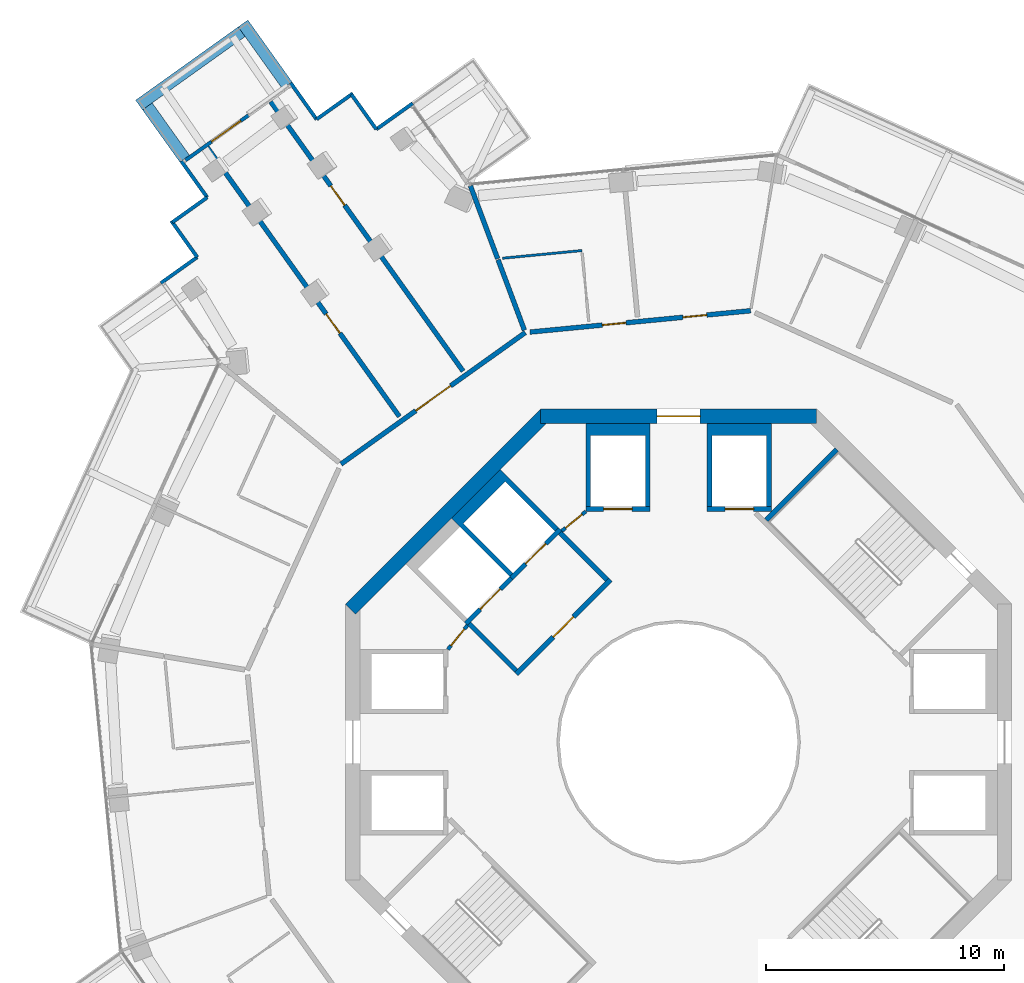
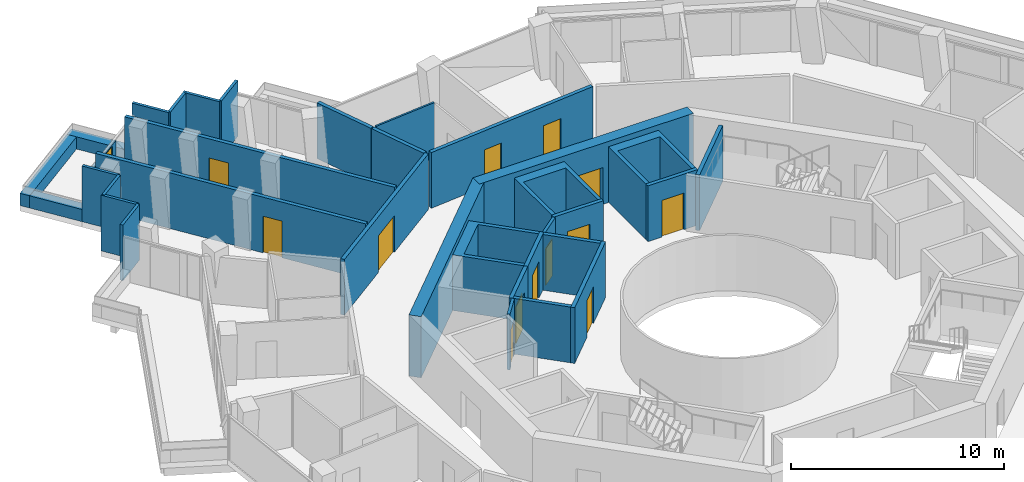
# One storey, part 18 of 22: 34 walls, 14 doors, 14 openings.
"""IFC4 building model written with IfcOpenShell, lengths in metres."""

from ifc_helpers import new_model, si_unit, direction, frame, frame_2d, origin, place, context, subcontext, project, spatial, polyline, rectangle, outline, extrude, material, layer, layer_set, type_object, element, fill, save


model = new_model("IFC4")

# Units and contexts
model_context = context("Model", 3, precision=1e-05, world=origin(), true_north=direction((0.0, 1.0)))
body_context = subcontext(model_context, "Body", "Model", "MODEL_VIEW")
ifc_project = project(units=[si_unit("LENGTHUNIT", "METRE"), si_unit("AREAUNIT", "SQUARE_METRE"), si_unit("VOLUMEUNIT", "CUBIC_METRE"), si_unit("PLANEANGLEUNIT", "RADIAN"), si_unit("MASSUNIT", "GRAM", prefix="KILO")], contexts=[model_context])

# Site, building, storey
site_placement = place(None, origin())
site = spatial("IfcSite", under=ifc_project, at=site_placement, CompositionType="ELEMENT")
building_placement = place(site_placement, origin())
building = spatial("IfcBuilding", under=site, at=building_placement, Name="Verdalira Terraces Hotel", CompositionType="ELEMENT")
storey_placement = place(building_placement, frame((0.0, 0.0, 180.0)))
storey = spatial("IfcBuildingStorey", under=building, at=storey_placement, Name="L43", CompositionType="ELEMENT", Elevation=180.0)

# Walls
ifc_material_1 = material(Name="Concrete C40", Category="concrete")
ifc_layer_1 = layer(ifc_material_1, 0.5)
ifc_layer_set_1 = layer_set([ifc_layer_1], Name="Balcony planter trough with tree")
wall_type_1 = type_object("IfcWallType", Name="Balcony planter trough with tree", PredefinedType="SOLIDWALL", material=ifc_layer_set_1)
wall_1_placement = place(storey_placement, frame((-16.449219, 27.605225, 0.0), z_axis=(0.0, 0.0, 1.0), x_axis=(-0.580992719, 0.813908754, 0.0)))
element("IfcWall", 1, at=wall_1_placement, inside=storey, type_object=wall_type_1, Name="Balcony planter", PredefinedType="SOLIDWALL", context=body_context, shape_type="SweptSolid", body=[
    extrude(rectangle(XDim=3.198975, YDim=0.5, at=frame_2d((1.599609, 0.0))), origin(), (0.0, 0.0, 1.0), 0.699951),
])
wall_2_placement = place(storey_placement, frame((-18.366211, 29.860352, 0.0), z_axis=(0.0, 0.0, 1.0), x_axis=(-0.813901508, -0.58100287, 0.0)))
element("IfcWall", 2, at=wall_2_placement, inside=storey, type_object=wall_type_1, Name="Balcony planter", PredefinedType="SOLIDWALL", context=body_context, shape_type="SweptSolid", body=[
    extrude(rectangle(XDim=5.300049, YDim=0.5, at=frame_2d((2.649902, 0.0))), origin(), (0.0, 0.0, 1.0), 0.699951),
])
wall_3_placement = place(storey_placement, frame((-22.331055, 26.7229, 0.0), z_axis=(0.0, 0.0, 1.0), x_axis=(0.580930101, -0.813953449, 0.0)))
element("IfcWall", 3, at=wall_3_placement, inside=storey, type_object=wall_type_1, Name="Balcony planter", PredefinedType="SOLIDWALL", context=body_context, shape_type="SweptSolid", body=[
    extrude(rectangle(XDim=2.698975, YDim=0.5, at=frame_2d((1.349609, 0.0))), origin(), (0.0, 0.0, 1.0), 0.699951),
])
ifc_material_2 = material(Name="Moisture-resistant gypsum board partition")
ifc_layer_2 = layer(ifc_material_2, 0.10009765625)
ifc_layer_set_2 = layer_set([ifc_layer_2], Name="Bathroom partition 100 mm")
wall_type_2 = type_object("IfcWallType", Name="Bathroom partition 100 mm", PredefinedType="PARTITIONING", material=ifc_layer_set_2)
wall_4_placement = place(storey_placement, frame((-7.399658, 20.34082, 0.0), z_axis=(0.0, 0.0, 1.0), x_axis=(0.995363525, 0.09618447, 0.0)))
element("IfcWall", 4, at=wall_4_placement, inside=storey, type_object=wall_type_2, Name="Bathroom partition", PredefinedType="PARTITIONING", context=body_context, shape_type="SweptSolid", body=[
    extrude(rectangle(XDim=3.350586, YDim=0.100098, at=frame_2d((1.675293, 0.0))), origin(), (0.0, 0.0, 1.0), 3.189941),
])
ifc_material_3 = material(Name="Concrete C50", Category="concrete")
ifc_layer_3 = layer(ifc_material_3, 0.199951171875)
ifc_layer_set_3 = layer_set([ifc_layer_3], Name="Core RC wall 200 C50")
wall_type_3 = type_object("IfcWallType", Name="Core RC wall 200 C50", PredefinedType="SOLIDWALL", material=ifc_layer_set_3)
wall_5_placement = place(storey_placement, origin())
element("IfcWall", 5, at=wall_5_placement, inside=storey, type_object=wall_type_3, Name="L43 shaft wall N1", PredefinedType="SOLIDWALL", context=body_context, shape_type="SweptSolid", body=[
    extrude(outline(polyline([(3.899902, 9.899902), (3.699951, 9.899902), (3.699951, 12.899902), (1.399902, 12.899902), (1.399902, 9.899902), (1.199951, 9.899902), (1.199951, 13.399902), (3.899902, 13.399902), (3.899902, 9.899902)])), origin(), (0.0, 0.0, 1.0), 3.189941),
])

# Wall, opening, door
wall_6_placement = place(storey_placement, frame((1.199951, 9.800049, 0.0), z_axis=(0.0, 0.0, 1.0), x_axis=(1.0, 0.0, 0.0)))
wall_6 = element("IfcWall", 6, at=wall_6_placement, inside=storey, type_object=wall_type_3, Name="L43 shaft front wall N1", PredefinedType="SOLIDWALL", context=body_context, shape_type="SweptSolid", body=[
    extrude(rectangle(XDim=2.699951, YDim=0.199951, at=frame_2d((1.350098, 0.0))), origin(), (0.0, 0.0, 1.0), 3.189941),
])
opening_1_placement = place(wall_6_placement, frame((0.75, 0.0, 0.0)))
opening_1 = element("IfcOpeningElement", 7, at=opening_1_placement, cuts=wall_6, Name="Opening LD-L43-804", PredefinedType="OPENING", context=body_context, shape_type="SweptSolid", body=[
    extrude(rectangle(XDim=1.199951, YDim=2.100098, at=frame_2d((0.600098, 1.050049))), frame((0.0, 0.109863, 0.0), z_axis=(0.0, -1.0, 0.0), x_axis=(1.0, 0.0, 0.0)), (0.0, 0.0, 1.0), 0.219971),
])
ifc_material_4 = material(Name="Stainless steel", Category="steel")
door_type_1 = type_object("IfcDoorType", Name="Landing door 1200 x 2100", OperationType="NOTDEFINED", PredefinedType="DOOR", material=ifc_material_4)
door_1_placement = place(opening_1_placement, origin())
door_1 = element("IfcDoor", 8, at=door_1_placement, inside=storey, type_object=door_type_1, Name="Lift landing door HR3 L43", OperationType="DOUBLE_DOOR_SLIDING", OverallHeight=2.10009765625, OverallWidth=1.199951171875, PredefinedType="DOOR", context=body_context, shape_type="SweptSolid", body=[
    extrude(rectangle(XDim=1.199951, YDim=2.100098, at=frame_2d((0.600098, 1.050049))), frame((0.0, 0.024902, 0.0), z_axis=(0.0, -1.0, 0.0), x_axis=(1.0, 0.0, 0.0)), (0.0, 0.0, 1.0), 0.050049),
])
fill(opening_1, door_1)

# Wall
wall_7_placement = place(storey_placement, origin())
element("IfcWall", 9, at=wall_7_placement, inside=storey, type_object=wall_type_3, Name="L43 shaft wall N2", PredefinedType="SOLIDWALL", context=body_context, shape_type="SweptSolid", body=[
    extrude(outline(polyline([(-3.899902, 13.399902), (-1.199951, 13.399902), (-1.199951, 9.899902), (-1.399902, 9.899902), (-1.399902, 12.899902), (-3.699951, 12.899902), (-3.699951, 9.899902), (-3.899902, 9.899902), (-3.899902, 13.399902)])), origin(), (0.0, 0.0, 1.0), 3.189941),
])

# Wall, opening, door
wall_8_placement = place(storey_placement, frame((-1.199951, 9.800049, 0.0), z_axis=(0.0, 0.0, 1.0), x_axis=(-1.0, 0.0, 0.0)))
wall_8 = element("IfcWall", 10, at=wall_8_placement, inside=storey, type_object=wall_type_3, Name="L43 shaft front wall N2", PredefinedType="SOLIDWALL", context=body_context, shape_type="SweptSolid", body=[
    extrude(rectangle(XDim=2.699951, YDim=0.199951, at=frame_2d((1.350098, 0.0))), origin(), (0.0, 0.0, 1.0), 3.189941),
])
opening_2_placement = place(wall_8_placement, frame((0.75, 0.0, 0.0)))
opening_2 = element("IfcOpeningElement", 11, at=opening_2_placement, cuts=wall_8, Name="Opening LD-L43-805", PredefinedType="OPENING", context=body_context, shape_type="SweptSolid", body=[
    extrude(rectangle(XDim=1.199951, YDim=2.100098, at=frame_2d((0.600098, 1.050049))), frame((0.0, 0.109863, 0.0), z_axis=(0.0, -1.0, 0.0), x_axis=(1.0, 0.0, 0.0)), (0.0, 0.0, 1.0), 0.219971),
])
door_2_placement = place(opening_2_placement, origin())
door_2 = element("IfcDoor", 12, at=door_2_placement, inside=storey, type_object=door_type_1, Name="Lift landing door HR4 L43", OperationType="DOUBLE_DOOR_SLIDING", OverallHeight=2.10009765625, OverallWidth=1.199951171875, PredefinedType="DOOR", context=body_context, shape_type="SweptSolid", body=[
    extrude(rectangle(XDim=1.199951, YDim=2.100098, at=frame_2d((0.600098, 1.050049))), frame((0.0, 0.024902, 0.0), z_axis=(0.0, -1.0, 0.0), x_axis=(1.0, 0.0, 0.0)), (0.0, 0.0, 1.0), 0.050049),
])
fill(opening_2, door_2)

# Wall
wall_9_placement = place(storey_placement, origin())
element("IfcWall", 13, at=wall_9_placement, inside=storey, type_object=wall_type_3, Name="L43 shaft wall F1", PredefinedType="SOLIDWALL", context=body_context, shape_type="SweptSolid", body=[
    extrude(outline(polyline([(-9.545898, 9.404541), (-7.495361, 11.455078), (-5.055908, 9.015625), (-5.197266, 8.874268), (-7.283203, 10.960205), (-9.051025, 9.192383), (-6.965088, 7.106445), (-7.106445, 6.965088), (-9.545898, 9.404541)])), origin(), (0.0, 0.0, 1.0), 3.189941),
])

# Wall, opening, door
wall_10_placement = place(storey_placement, frame((-4.985107, 8.944824, 0.0), z_axis=(0.0, 0.0, 1.0), x_axis=(-0.707106781, -0.707106781, 0.0)))
wall_10 = element("IfcWall", 14, at=wall_10_placement, inside=storey, type_object=wall_type_3, Name="L43 shaft front wall F1", PredefinedType="SOLIDWALL", context=body_context, shape_type="SweptSolid", body=[
    extrude(rectangle(XDim=2.899902, YDim=0.199951, at=frame_2d((1.449951, 0.0))), origin(), (0.0, 0.0, 1.0), 3.189941),
])
opening_3_placement = place(wall_10_placement, frame((0.850098, 0.0, 0.0)))
opening_3 = element("IfcOpeningElement", 15, at=opening_3_placement, cuts=wall_10, Name="Opening LD-L43-808", PredefinedType="OPENING", context=body_context, shape_type="SweptSolid", body=[
    extrude(rectangle(XDim=1.199951, YDim=2.100098, at=frame_2d((0.600098, 1.050049))), frame((0.0, 0.109863, 0.0), z_axis=(0.0, -1.0, 0.0), x_axis=(1.0, 0.0, 0.0)), (0.0, 0.0, 1.0), 0.219971),
])
door_3_placement = place(opening_3_placement, origin())
door_3 = element("IfcDoor", 16, at=door_3_placement, inside=storey, type_object=door_type_1, Name="Lift landing door LF11 L43", OperationType="DOUBLE_DOOR_SLIDING", OverallHeight=2.10009765625, OverallWidth=1.199951171875, PredefinedType="DOOR", context=body_context, shape_type="SweptSolid", body=[
    extrude(rectangle(XDim=1.199951, YDim=2.100098, at=frame_2d((0.600098, 1.050049))), frame((0.0, 0.024902, 0.0), z_axis=(0.0, -1.0, 0.0), x_axis=(1.0, 0.0, 0.0)), (0.0, 0.0, 1.0), 0.050049),
])
fill(opening_3, door_3)

wall_11_placement = place(storey_placement, frame((-7.035645, 6.894287, 0.0), z_axis=(0.0, 0.0, 1.0), x_axis=(-0.707106781, -0.707106781, 0.0)))
wall_11 = element("IfcWall", 17, at=wall_11_placement, inside=storey, type_object=wall_type_3, Name="L43 shaft front wall F2", PredefinedType="SOLIDWALL", context=body_context, shape_type="SweptSolid", body=[
    extrude(rectangle(XDim=2.699951, YDim=0.199951, at=frame_2d((1.350098, 0.0))), origin(), (0.0, 0.0, 1.0), 3.189941),
])
opening_4_placement = place(wall_11_placement, frame((0.649902, 0.0, 0.0)))
opening_4 = element("IfcOpeningElement", 18, at=opening_4_placement, cuts=wall_11, Name="Opening LD-L43-809", PredefinedType="OPENING", context=body_context, shape_type="SweptSolid", body=[
    extrude(rectangle(XDim=1.199951, YDim=2.100098, at=frame_2d((0.600098, 1.050049))), frame((0.0, 0.109863, 0.0), z_axis=(0.0, -1.0, 0.0), x_axis=(1.0, 0.0, 0.0)), (0.0, 0.0, 1.0), 0.219971),
])
door_4_placement = place(opening_4_placement, origin())
door_4 = element("IfcDoor", 19, at=door_4_placement, inside=storey, type_object=door_type_1, Name="Lift landing door LF12 L43", OperationType="DOUBLE_DOOR_SLIDING", OverallHeight=2.10009765625, OverallWidth=1.199951171875, PredefinedType="DOOR", context=body_context, shape_type="SweptSolid", body=[
    extrude(rectangle(XDim=1.199951, YDim=2.100098, at=frame_2d((0.600098, 1.050049))), frame((0.0, 0.024902, 0.0), z_axis=(0.0, -1.0, 0.0), x_axis=(1.0, 0.0, 0.0)), (0.0, 0.0, 1.0), 0.050049),
])
fill(opening_4, door_4)

# Wall
wall_12_placement = place(storey_placement, frame((3.677002, 9.33374, 0.0), z_axis=(0.0, 0.0, 1.0), x_axis=(0.707077716, 0.707135845, 0.0)))
element("IfcWall", 20, at=wall_12_placement, inside=storey, type_object=wall_type_3, Name="L43 stair ST1 end wall 2", PredefinedType="SOLIDWALL", context=body_context, shape_type="SweptSolid", body=[
    extrude(rectangle(XDim=4.199951, YDim=0.199951, at=frame_2d((2.100098, 0.0))), origin(), (0.0, 0.0, 1.0), 3.189941),
])

# Wall, opening, door
wall_13_placement = place(storey_placement, frame((-2.86377, 6.823486, 0.0), z_axis=(0.0, 0.0, 1.0), x_axis=(-0.707106781, -0.707106781, 0.0)))
wall_13 = element("IfcWall", 21, at=wall_13_placement, inside=storey, type_object=wall_type_3, Name="L43 fire lobby wall", PredefinedType="SOLIDWALL", context=body_context, shape_type="SweptSolid", body=[
    extrude(rectangle(XDim=5.599854, YDim=0.199951, at=frame_2d((2.799805, 0.0))), origin(), (0.0, 0.0, 1.0), 3.189941),
])
opening_5_placement = place(wall_13_placement, frame((2.199951, 0.0, 0.0)))
opening_5 = element("IfcOpeningElement", 22, at=opening_5_placement, cuts=wall_13, Name="Opening L43-819", PredefinedType="OPENING", context=body_context, shape_type="SweptSolid", body=[
    extrude(rectangle(XDim=1.199951, YDim=2.100098, at=frame_2d((0.600098, 1.050049))), frame((0.0, 0.109863, 0.0), z_axis=(0.0, -1.0, 0.0), x_axis=(1.0, 0.0, 0.0)), (0.0, 0.0, 1.0), 0.219971),
])
ifc_material_5 = material(Name="Steel fire door", Category="steel")
door_type_2 = type_object("IfcDoorType", Name="Lobby door 1200 x 2100", OperationType="NOTDEFINED", PredefinedType="DOOR", material=ifc_material_5)
door_5_placement = place(opening_5_placement, origin())
door_5 = element("IfcDoor", 23, at=door_5_placement, inside=storey, type_object=door_type_2, Name="Fire lobby door L43", OperationType="SINGLE_SWING_LEFT", OverallHeight=2.10009765625, OverallWidth=1.199951171875, PredefinedType="DOOR", context=body_context, shape_type="SweptSolid", body=[
    extrude(rectangle(XDim=1.199951, YDim=2.100098, at=frame_2d((0.600098, 1.050049))), frame((0.0, 0.024902, 0.0), z_axis=(0.0, -1.0, 0.0), x_axis=(1.0, 0.0, 0.0)), (0.0, 0.0, 1.0), 0.050049),
])
fill(opening_5, door_5)

# Walls
for number, where, z_axis, x_axis, name in (
    (24, (-3.005127, 6.823486, 0.0), (0.0, 0.0, 1.0), (-0.707106781, 0.707106781, 0.0), "L43 fire lobby wall"),
    (25, (-6.823486, 3.005127, 0.0), (0.0, 0.0, 1.0), (-0.707106781, 0.707106781, 0.0), "L43 fire lobby wall"),
):
    element("IfcWall", number, at=place(storey_placement, frame(where, z_axis=z_axis, x_axis=x_axis)), inside=storey, type_object=wall_type_3, Name=name, PredefinedType="SOLIDWALL", context=body_context, shape_type="SweptSolid", body=[
        extrude(rectangle(XDim=2.800049, YDim=0.199951, at=frame_2d((1.399902, 0.0))), origin(), (0.0, 0.0, 1.0), 3.189941),
    ])

# Wall, opening, door
ifc_material_6 = material(Name="Gypsum board partition")
ifc_layer_4 = layer(ifc_material_6, 0.14990234375)
ifc_layer_set_4 = layer_set([ifc_layer_4], Name="Core partition 150 mm")
wall_type_4 = type_object("IfcWallType", Name="Core partition 150 mm", PredefinedType="PARTITIONING", material=ifc_layer_set_4)
wall_14_placement = place(storey_placement, frame((-3.899902, 9.699951, 0.0), z_axis=(0.0, 0.0, 1.0), x_axis=(-0.775559878, -0.631274009, 0.0)))
wall_14 = element("IfcWall", 26, at=wall_14_placement, inside=storey, type_object=wall_type_4, Name="Room partition L43", PredefinedType="PARTITIONING", context=body_context, shape_type="SweptSolid", body=[
    extrude(rectangle(XDim=1.307861, YDim=0.149902, at=frame_2d((0.653809, 0.0))), origin(), (0.0, 0.0, 1.0), 3.189941),
])
opening_6_placement = place(wall_14_placement, frame((0.204102, 0.0, 0.0)))
opening_6 = element("IfcOpeningElement", 27, at=opening_6_placement, cuts=wall_14, Name="Opening L43-820", PredefinedType="OPENING", context=body_context, shape_type="SweptSolid", body=[
    extrude(rectangle(XDim=0.899902, YDim=2.100098, at=frame_2d((0.449951, 1.050049))), frame((0.0, 0.084961, 0.0), z_axis=(0.0, -1.0, 0.0), x_axis=(1.0, 0.0, 0.0)), (0.0, 0.0, 1.0), 0.169922),
])
ifc_material_7 = material(Name="Steel fire door", Category="steel")
door_type_3 = type_object("IfcDoorType", Name="Core room door 900 x 2100", OperationType="NOTDEFINED", PredefinedType="DOOR", material=ifc_material_7)
door_6_placement = place(opening_6_placement, origin())
door_6 = element("IfcDoor", 28, at=door_6_placement, inside=storey, type_object=door_type_3, Name="Door L43 room2", OperationType="SINGLE_SWING_LEFT", OverallHeight=2.10009765625, OverallWidth=0.89990234375, PredefinedType="DOOR", context=body_context, shape_type="SweptSolid", body=[
    extrude(rectangle(XDim=0.899902, YDim=2.100098, at=frame_2d((0.449951, 1.050049))), frame((0.0, 0.024902, 0.0), z_axis=(0.0, -1.0, 0.0), x_axis=(1.0, 0.0, 0.0)), (0.0, 0.0, 1.0), 0.050049),
])
fill(opening_6, door_6)

wall_15_placement = place(storey_placement, frame((-8.874268, 4.914307, 0.0), z_axis=(0.0, 0.0, 1.0), x_axis=(-0.631274009, -0.775559878, 0.0)))
wall_15 = element("IfcWall", 29, at=wall_15_placement, inside=storey, type_object=wall_type_4, Name="Room partition L43", PredefinedType="PARTITIONING", context=body_context, shape_type="SweptSolid", body=[
    extrude(rectangle(XDim=1.307861, YDim=0.149902, at=frame_2d((0.653809, 0.0))), origin(), (0.0, 0.0, 1.0), 3.189941),
])
opening_7_placement = place(wall_15_placement, frame((0.204102, 0.0, 0.0)))
opening_7 = element("IfcOpeningElement", 30, at=opening_7_placement, cuts=wall_15, Name="Opening L43-821", PredefinedType="OPENING", context=body_context, shape_type="SweptSolid", body=[
    extrude(rectangle(XDim=0.899902, YDim=2.100098, at=frame_2d((0.449951, 1.050049))), frame((0.0, 0.084961, 0.0), z_axis=(0.0, -1.0, 0.0), x_axis=(1.0, 0.0, 0.0)), (0.0, 0.0, 1.0), 0.169922),
])
door_7_placement = place(opening_7_placement, origin())
door_7 = element("IfcDoor", 31, at=door_7_placement, inside=storey, type_object=door_type_3, Name="Door L43 room3", OperationType="SINGLE_SWING_LEFT", OverallHeight=2.10009765625, OverallWidth=0.89990234375, PredefinedType="DOOR", context=body_context, shape_type="SweptSolid", body=[
    extrude(rectangle(XDim=0.899902, YDim=2.100098, at=frame_2d((0.449951, 1.050049))), frame((0.0, 0.024902, 0.0), z_axis=(0.0, -1.0, 0.0), x_axis=(1.0, 0.0, 0.0)), (0.0, 0.0, 1.0), 0.050049),
])
fill(opening_7, door_7)

ifc_material_8 = material(Name="Concrete C60", Category="concrete")
ifc_layer_5 = layer(ifc_material_8, 0.60009765625)
ifc_layer_set_5 = layer_set([ifc_layer_5], Name="Core wall 600 C60")
wall_type_5 = type_object("IfcWallType", Name="Core wall 600 C60", PredefinedType="SHEAR", material=ifc_layer_set_5)
wall_16_placement = place(storey_placement, frame((5.799072, 13.699951, 0.0), z_axis=(0.0, 0.0, 1.0), x_axis=(-1.0, 0.0, 0.0)))
wall_16 = element("IfcWall", 32, at=wall_16_placement, inside=storey, type_object=wall_type_5, Name="Core wall CW-L43-3", PredefinedType="SHEAR", context=body_context, shape_type="SweptSolid", body=[
    extrude(rectangle(XDim=11.598145, YDim=0.600098, at=frame_2d((5.799072, 0.0))), origin(), (0.0, 0.0, 1.0), 3.5),
])
opening_8_placement = place(wall_16_placement, frame((4.898926, 0.0, 0.0)))
opening_8 = element("IfcOpeningElement", 33, at=opening_8_placement, cuts=wall_16, Name="Opening L43-814", PredefinedType="OPENING", context=body_context, shape_type="SweptSolid", body=[
    extrude(rectangle(XDim=1.800049, YDim=2.100098, at=frame_2d((0.899902, 1.050049))), frame((0.0, 0.310059, 0.0), z_axis=(0.0, -1.0, 0.0), x_axis=(1.0, 0.0, 0.0)), (0.0, 0.0, 1.0), 0.620117),
])
ifc_material_9 = material(Name="Steel fire door", Category="steel")
door_type_4 = type_object("IfcDoorType", Name="Core entry door pair 1800 x 2100", OperationType="NOTDEFINED", PredefinedType="DOOR", material=ifc_material_9)
door_8_placement = place(opening_8_placement, origin())
door_8 = element("IfcDoor", 34, at=door_8_placement, inside=storey, type_object=door_type_4, Name="Core entry door L43 2", OperationType="DOUBLE_DOOR_SINGLE_SWING", OverallHeight=2.10009765625, OverallWidth=1.800048828125, PredefinedType="DOOR", context=body_context, shape_type="SweptSolid", body=[
    extrude(rectangle(XDim=1.800049, YDim=2.100098, at=frame_2d((0.899902, 1.050049))), frame((0.0, 0.024902, 0.0), z_axis=(0.0, -1.0, 0.0), x_axis=(1.0, 0.0, 0.0)), (0.0, 0.0, 1.0), 0.050049),
])
fill(opening_8, door_8)

# Wall
wall_17_placement = place(storey_placement, frame((-5.586914, 13.787842, 0.0), z_axis=(0.0, 0.0, 1.0), x_axis=(-0.707106781, -0.707106781, 0.0)))
element("IfcWall", 35, at=wall_17_placement, inside=storey, type_object=wall_type_5, Name="Core wall CW-L43-4", PredefinedType="SHEAR", context=body_context, shape_type="SweptSolid", body=[
    extrude(rectangle(XDim=11.5979, YDim=0.600098, at=frame_2d((5.798828, 0.0))), origin(), (0.0, 0.0, 1.0), 3.5),
])

# Wall, opening, door
ifc_material_10 = material(Name="Fire-rated gypsum board wall")
ifc_layer_6 = layer(ifc_material_10, 0.199951171875)
ifc_layer_set_6 = layer_set([ifc_layer_6], Name="Demising wall 200 mm")
wall_type_6 = type_object("IfcWallType", Name="Demising wall 200 mm", PredefinedType="SOLIDWALL", material=ifc_layer_set_6)
wall_18_placement = place(storey_placement, frame((-11.736816, 13.686279, 0.0), z_axis=(0.0, 0.0, 1.0), x_axis=(-0.580992549, 0.813908876, 0.0)))
wall_18 = element("IfcWall", 36, at=wall_18_placement, inside=storey, type_object=wall_type_6, Name="Demising wall", PredefinedType="SOLIDWALL", context=body_context, shape_type="SweptSolid", body=[
    extrude(rectangle(XDim=13.915771, YDim=0.199951, at=frame_2d((6.958008, 0.0))), origin(), (0.0, 0.0, 1.0), 3.189941),
])
opening_9_placement = place(wall_18_placement, frame((4.300049, 0.0, 0.0)))
opening_9 = element("IfcOpeningElement", 37, at=opening_9_placement, cuts=wall_18, Name="Opening L43-103", PredefinedType="OPENING", context=body_context, shape_type="SweptSolid", body=[
    extrude(rectangle(XDim=1.0, YDim=2.100098, at=frame_2d((0.5, 1.050049))), frame((0.0, 0.109863, 0.0), z_axis=(0.0, -1.0, 0.0), x_axis=(1.0, 0.0, 0.0)), (0.0, 0.0, 1.0), 0.219971),
])
ifc_material_11 = material(Name="Timber fire door", Category="wood")
door_type_5 = type_object("IfcDoorType", Name="Public room door 1000 x 2100", OperationType="NOTDEFINED", PredefinedType="DOOR", material=ifc_material_11)
door_9_placement = place(opening_9_placement, origin())
door_9 = element("IfcDoor", 38, at=door_9_placement, inside=storey, type_object=door_type_5, Name="Public room door 4301", OperationType="SINGLE_SWING_LEFT", OverallHeight=2.10009765625, OverallWidth=1.0, PredefinedType="DOOR", context=body_context, shape_type="SweptSolid", body=[
    extrude(rectangle(XDim=1.0, YDim=2.100098, at=frame_2d((0.5, 1.050049))), frame((0.0, 0.024902, 0.0), z_axis=(0.0, -1.0, 0.0), x_axis=(1.0, 0.0, 0.0)), (0.0, 0.0, 1.0), 0.050049),
])
fill(opening_9, door_9)

wall_19_placement = place(storey_placement, frame((-17.146484, 26.922119, 0.0), z_axis=(0.0, 0.0, 1.0), x_axis=(0.580992549, -0.813908876, 0.0)))
wall_19 = element("IfcWall", 39, at=wall_19_placement, inside=storey, type_object=wall_type_6, Name="Demising wall", PredefinedType="SOLIDWALL", context=body_context, shape_type="SweptSolid", body=[
    extrude(rectangle(XDim=13.915771, YDim=0.199951, at=frame_2d((6.958008, 0.0))), origin(), (0.0, 0.0, 1.0), 3.189941),
])
opening_10_placement = place(wall_19_placement, frame((4.350098, 0.0, 0.0)))
opening_10 = element("IfcOpeningElement", 40, at=opening_10_placement, cuts=wall_19, Name="Opening L43-102", PredefinedType="OPENING", context=body_context, shape_type="SweptSolid", body=[
    extrude(rectangle(XDim=1.0, YDim=2.100098, at=frame_2d((0.5, 1.050049))), frame((0.0, 0.109863, 0.0), z_axis=(0.0, -1.0, 0.0), x_axis=(1.0, 0.0, 0.0)), (0.0, 0.0, 1.0), 0.219971),
])
door_10_placement = place(opening_10_placement, origin())
door_10 = element("IfcDoor", 41, at=door_10_placement, inside=storey, type_object=door_type_5, Name="Public room door 4301", OperationType="SINGLE_SWING_LEFT", OverallHeight=2.10009765625, OverallWidth=1.0, PredefinedType="DOOR", context=body_context, shape_type="SweptSolid", body=[
    extrude(rectangle(XDim=1.0, YDim=2.100098, at=frame_2d((0.5, 1.050049))), frame((0.0, 0.024902, 0.0), z_axis=(0.0, -1.0, 0.0), x_axis=(1.0, 0.0, 0.0)), (0.0, 0.0, 1.0), 0.050049),
])
fill(opening_10, door_10)

# Walls
wall_20_placement = place(storey_placement, frame((-8.750732, 23.380127, 0.0), z_axis=(0.0, 0.0, 1.0), x_axis=(0.350550362, -0.936543882, 0.0)))
element("IfcWall", 42, at=wall_20_placement, inside=storey, type_object=wall_type_6, Name="Demising wall", PredefinedType="SOLIDWALL", context=body_context, shape_type="SweptSolid", body=[
    extrude(rectangle(XDim=3.268555, YDim=0.199951, at=frame_2d((1.634277, 0.0))), origin(), (0.0, 0.0, 1.0), 3.189941),
])
wall_21_placement = place(storey_placement, frame((-7.588867, 20.275879, 0.0), z_axis=(0.0, 0.0, 1.0), x_axis=(0.3505394, -0.936547985, 0.0)))
element("IfcWall", 43, at=wall_21_placement, inside=storey, type_object=wall_type_6, Name="Demising wall", PredefinedType="SOLIDWALL", context=body_context, shape_type="SweptSolid", body=[
    extrude(rectangle(XDim=3.161377, YDim=0.199951, at=frame_2d((1.580566, 0.0))), origin(), (0.0, 0.0, 1.0), 3.189941),
])

# Wall, opening, door
ifc_material_12 = material(Name="Fire-rated gypsum board wall")
ifc_layer_7 = layer(ifc_material_12, 0.199951171875)
ifc_layer_set_7 = layer_set([ifc_layer_7], Name="Guest corridor wall 200 mm")
wall_type_7 = type_object("IfcWallType", Name="Guest corridor wall 200 mm", PredefinedType="SOLIDWALL", material=ifc_layer_set_7)
wall_22_placement = place(storey_placement, frame((-14.190186, 11.689209, 0.0), z_axis=(0.0, 0.0, 1.0), x_axis=(0.813908508, 0.580993065, 0.0)))
wall_22 = element("IfcWall", 44, at=wall_22_placement, inside=storey, type_object=wall_type_7, Name="Guest corridor wall", PredefinedType="SOLIDWALL", context=body_context, shape_type="SweptSolid", body=[
    extrude(rectangle(XDim=9.516602, YDim=0.199951, at=frame_2d((4.758301, 0.0))), origin(), (0.0, 0.0, 1.0), 3.189941),
])
opening_11_placement = place(wall_22_placement, frame((3.856934, 0.0, 0.0)))
opening_11 = element("IfcOpeningElement", 45, at=opening_11_placement, cuts=wall_22, Name="Opening L43-101", PredefinedType="OPENING", context=body_context, shape_type="SweptSolid", body=[
    extrude(rectangle(XDim=1.800049, YDim=2.100098, at=frame_2d((0.899902, 1.050049))), frame((0.0, 0.109863, 0.0), z_axis=(0.0, -1.0, 0.0), x_axis=(1.0, 0.0, 0.0)), (0.0, 0.0, 1.0), 0.219971),
])
ifc_material_13 = material(Name="Timber fire door", Category="wood")
door_type_6 = type_object("IfcDoorType", Name="Public room double door 1800 x 2100", OperationType="NOTDEFINED", PredefinedType="DOOR", material=ifc_material_13)
door_11_placement = place(opening_11_placement, origin())
door_11 = element("IfcDoor", 46, at=door_11_placement, inside=storey, type_object=door_type_6, Name="Public room double door 4301", OperationType="DOUBLE_DOOR_SINGLE_SWING", OverallHeight=2.10009765625, OverallWidth=1.800048828125, PredefinedType="DOOR", context=body_context, shape_type="SweptSolid", body=[
    extrude(rectangle(XDim=1.800049, YDim=2.100098, at=frame_2d((0.899902, 1.050049))), frame((0.0, 0.024902, 0.0), z_axis=(0.0, -1.0, 0.0), x_axis=(1.0, 0.0, 0.0)), (0.0, 0.0, 1.0), 0.050049),
])
fill(opening_11, door_11)

# Wall, openings, doors
wall_23_placement = place(storey_placement, frame((-6.245361, 17.237549, 0.0), z_axis=(0.0, 0.0, 1.0), x_axis=(0.995362243, 0.096197736, 0.0)))
wall_23 = element("IfcWall", 47, at=wall_23_placement, inside=storey, type_object=wall_type_7, Name="Guest corridor wall", PredefinedType="SOLIDWALL", context=body_context, shape_type="SweptSolid", body=[
    extrude(rectangle(XDim=9.31665, YDim=0.199951, at=frame_2d((4.658203, 0.0))), origin(), (0.0, 0.0, 1.0), 3.189941),
])
opening_12_placement = place(wall_23_placement, frame((6.458252, 0.0, 0.0)))
opening_12 = element("IfcOpeningElement", 48, at=opening_12_placement, cuts=wall_23, Name="Opening L43-127", PredefinedType="OPENING", context=body_context, shape_type="SweptSolid", body=[
    extrude(rectangle(XDim=1.0, YDim=2.100098, at=frame_2d((0.5, 1.050049))), frame((0.0, 0.109863, 0.0), z_axis=(0.0, -1.0, 0.0), x_axis=(1.0, 0.0, 0.0)), (0.0, 0.0, 1.0), 0.219971),
])
opening_13_placement = place(wall_23_placement, frame((3.050049, 0.0, 0.0)))
opening_13 = element("IfcOpeningElement", 49, at=opening_13_placement, cuts=wall_23, Name="Opening L43-130", PredefinedType="OPENING", context=body_context, shape_type="SweptSolid", body=[
    extrude(rectangle(XDim=1.0, YDim=2.100098, at=frame_2d((0.5, 1.050049))), frame((0.0, 0.109863, 0.0), z_axis=(0.0, -1.0, 0.0), x_axis=(1.0, 0.0, 0.0)), (0.0, 0.0, 1.0), 0.219971),
])
ifc_material_14 = material(Name="Timber fire door", Category="wood")
door_type_7 = type_object("IfcDoorType", Name="Guest entry door 1000 x 2100", OperationType="NOTDEFINED", PredefinedType="DOOR", material=ifc_material_14)
door_12_placement = place(opening_12_placement, origin())
door_12 = element("IfcDoor", 50, at=door_12_placement, inside=storey, type_object=door_type_7, Name="Guest entry door 4310", OperationType="SINGLE_SWING_LEFT", OverallHeight=2.10009765625, OverallWidth=1.0, PredefinedType="DOOR", context=body_context, shape_type="SweptSolid", body=[
    extrude(rectangle(XDim=1.0, YDim=2.100098, at=frame_2d((0.5, 1.050049))), frame((0.0, 0.024902, 0.0), z_axis=(0.0, -1.0, 0.0), x_axis=(1.0, 0.0, 0.0)), (0.0, 0.0, 1.0), 0.050049),
])
fill(opening_12, door_12)
door_13_placement = place(opening_13_placement, origin())
door_13 = element("IfcDoor", 51, at=door_13_placement, inside=storey, type_object=door_type_7, Name="Guest entry door 4311", OperationType="SINGLE_SWING_RIGHT", OverallHeight=2.10009765625, OverallWidth=1.0, PredefinedType="DOOR", context=body_context, shape_type="SweptSolid", body=[
    extrude(rectangle(XDim=1.0, YDim=2.100098, at=frame_2d((0.5, 1.050049))), frame((0.0, 0.024902, 0.0), z_axis=(0.0, -1.0, 0.0), x_axis=(1.0, 0.0, 0.0)), (0.0, 0.0, 1.0), 0.050049),
])
fill(opening_13, door_13)

# Walls
ifc_material_15 = material(Name="Terracotta cladding", Category="masonry")
ifc_layer_8 = layer(ifc_material_15, 0.14990234375)
ifc_layer_set_8 = layer_set([ifc_layer_8], Name="Terracotta clad wall 150")
wall_type_8 = type_object("IfcWallType", Name="Terracotta clad wall 150", PredefinedType="SOLIDWALL", material=ifc_layer_set_8)
wall_24_placement = place(storey_placement, frame((-11.180176, 26.850098, 0.0), z_axis=(0.0, 0.0, 1.0), x_axis=(-0.813874226, -0.581041087, 0.0)))
element("IfcWall", 52, at=wall_24_placement, inside=storey, type_object=wall_type_8, Name="Terracotta cladding wall", PredefinedType="SOLIDWALL", context=body_context, shape_type="SweptSolid", body=[
    extrude(rectangle(XDim=1.874756, YDim=0.149902, at=frame_2d((0.9375, 0.0))), origin(), (0.0, 0.0, 1.0), 3.189941),
])
wall_25_placement = place(storey_placement, frame((-12.706055, 25.760742, 0.0), z_axis=(0.0, 0.0, 1.0), x_axis=(-0.581020072, 0.813889228, 0.0)))
element("IfcWall", 53, at=wall_25_placement, inside=storey, type_object=wall_type_8, Name="Terracotta cladding wall", PredefinedType="SOLIDWALL", context=body_context, shape_type="SweptSolid", body=[
    extrude(rectangle(XDim=1.800049, YDim=0.149902, at=frame_2d((0.899902, 0.0))), origin(), (0.0, 0.0, 1.0), 3.189941),
])
wall_26_placement = place(storey_placement, frame((-13.690918, 27.269531, 0.0), z_axis=(0.0, 0.0, 1.0), x_axis=(-0.813918182, -0.580979512, 0.0)))
element("IfcWall", 54, at=wall_26_placement, inside=storey, type_object=wall_type_8, Name="Terracotta cladding wall", PredefinedType="SOLIDWALL", context=body_context, shape_type="SweptSolid", body=[
    extrude(rectangle(XDim=1.875, YDim=0.149902, at=frame_2d((0.9375, 0.0))), origin(), (0.0, 0.0, 1.0), 3.189941),
])
wall_27_placement = place(storey_placement, frame((-15.217041, 26.180176, 0.0), z_axis=(0.0, 0.0, 1.0), x_axis=(-0.581041087, 0.813874226, 0.0)))
element("IfcWall", 55, at=wall_27_placement, inside=storey, type_object=wall_type_8, Name="Terracotta cladding wall", PredefinedType="SOLIDWALL", context=body_context, shape_type="SweptSolid", body=[
    extrude(rectangle(XDim=1.874756, YDim=0.149902, at=frame_2d((0.9375, 0.0))), origin(), (0.0, 0.0, 1.0), 3.189941),
])
wall_28_placement = place(storey_placement, frame((-20.905029, 24.423584, 0.0), z_axis=(0.0, 0.0, 1.0), x_axis=(0.580979512, -0.813918182, 0.0)))
element("IfcWall", 56, at=wall_28_placement, inside=storey, type_object=wall_type_8, Name="Terracotta cladding wall", PredefinedType="SOLIDWALL", context=body_context, shape_type="SweptSolid", body=[
    extrude(rectangle(XDim=1.875, YDim=0.149902, at=frame_2d((0.9375, 0.0))), origin(), (0.0, 0.0, 1.0), 3.189941),
])
wall_29_placement = place(storey_placement, frame((-19.815674, 22.897461, 0.0), z_axis=(0.0, 0.0, 1.0), x_axis=(-0.813907582, -0.580994362, 0.0)))
element("IfcWall", 57, at=wall_29_placement, inside=storey, type_object=wall_type_8, Name="Terracotta cladding wall", PredefinedType="SOLIDWALL", context=body_context, shape_type="SweptSolid", body=[
    extrude(rectangle(XDim=1.799805, YDim=0.149902, at=frame_2d((0.899902, 0.0))), origin(), (0.0, 0.0, 1.0), 3.189941),
])
for number, where, z_axis, x_axis, name in (
    (58, (-21.324219, 21.912842, 0.0), (0.0, 0.0, 1.0), (0.580979512, -0.813918182, 0.0), "Terracotta cladding wall"),
    (59, (-20.234863, 20.386719, 0.0), (0.0, 0.0, 1.0), (-0.813918182, -0.580979512, 0.0), "Terracotta cladding wall"),
):
    element("IfcWall", number, at=place(storey_placement, frame(where, z_axis=z_axis, x_axis=x_axis)), inside=storey, type_object=wall_type_8, Name=name, PredefinedType="SOLIDWALL", context=body_context, shape_type="SweptSolid", body=[
        extrude(rectangle(XDim=1.875, YDim=0.149902, at=frame_2d((0.9375, 0.0))), origin(), (0.0, 0.0, 1.0), 3.189941),
    ])

# Wall, opening, door
ifc_material_16 = material(Name="Terracotta cladding", Category="masonry")
ifc_layer_9 = layer(ifc_material_16, 0.14990234375)
ifc_layer_set_9 = layer_set([ifc_layer_9], Name="Terracotta door pier 150")
wall_type_9 = type_object("IfcWallType", Name="Terracotta door pier 150", PredefinedType="SOLIDWALL", material=ifc_layer_set_9)
wall_30_placement = place(storey_placement, frame((-18.081787, 26.34668, 0.0), z_axis=(0.0, 0.0, 1.0), x_axis=(-0.81390548, -0.580997306, 0.0)))
wall_30 = element("IfcWall", 60, at=wall_30_placement, inside=storey, type_object=wall_type_9, Name="Terracotta door pier", PredefinedType="SOLIDWALL", context=body_context, shape_type="SweptSolid", body=[
    extrude(rectangle(XDim=3.26001, YDim=0.149902, at=frame_2d((1.629883, 0.0))), origin(), (0.0, 0.0, 1.0), 2.475098),
])
opening_14_placement = place(wall_30_placement, frame((0.399902, 0.0, 0.0)))
opening_14 = element("IfcOpeningElement", 61, at=opening_14_placement, cuts=wall_30, Name="Opening L43-B02", PredefinedType="OPENING", context=body_context, shape_type="SweptSolid", body=[
    extrude(rectangle(XDim=1.5, YDim=2.399902, at=frame_2d((0.75, 1.199951))), frame((0.0, 0.084961, 0.0), z_axis=(0.0, -1.0, 0.0), x_axis=(1.0, 0.0, 0.0)), (0.0, 0.0, 1.0), 0.169922),
])
ifc_material_17 = material(Name="Clear glass", Category="glass")
door_type_8 = type_object("IfcDoorType", Name="Balcony sliding door 1500x2400", OperationType="NOTDEFINED", PredefinedType="DOOR", material=ifc_material_17)
door_14_placement = place(opening_14_placement, origin())
door_14 = element("IfcDoor", 62, at=door_14_placement, inside=storey, type_object=door_type_8, Name="Balcony sliding door", OperationType="SLIDING_TO_RIGHT", OverallHeight=2.39990234375, OverallWidth=1.5, PredefinedType="DOOR", context=body_context, shape_type="SweptSolid", body=[
    extrude(rectangle(XDim=1.5, YDim=2.399902, at=frame_2d((0.75, 1.199951))), frame((0.0, 0.024902, 0.0), z_axis=(0.0, -1.0, 0.0), x_axis=(1.0, 0.0, 0.0)), (0.0, 0.0, 1.0), 0.050049),
])
fill(opening_14, door_14)

save(model, "model.ifc")
